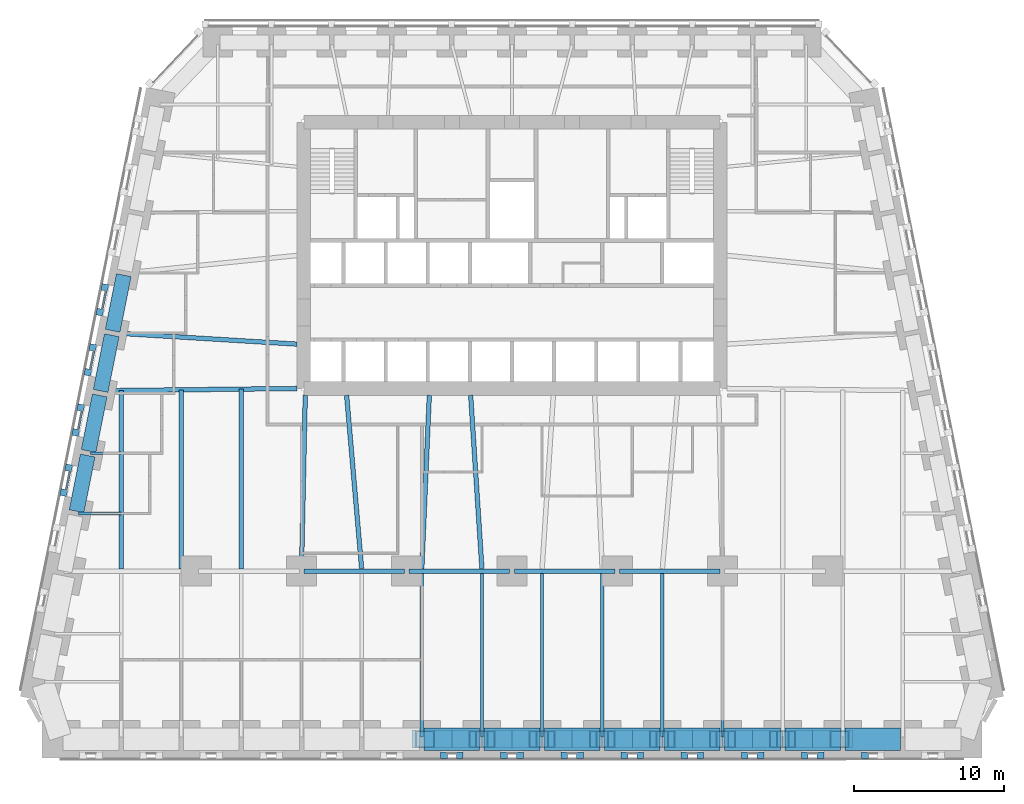
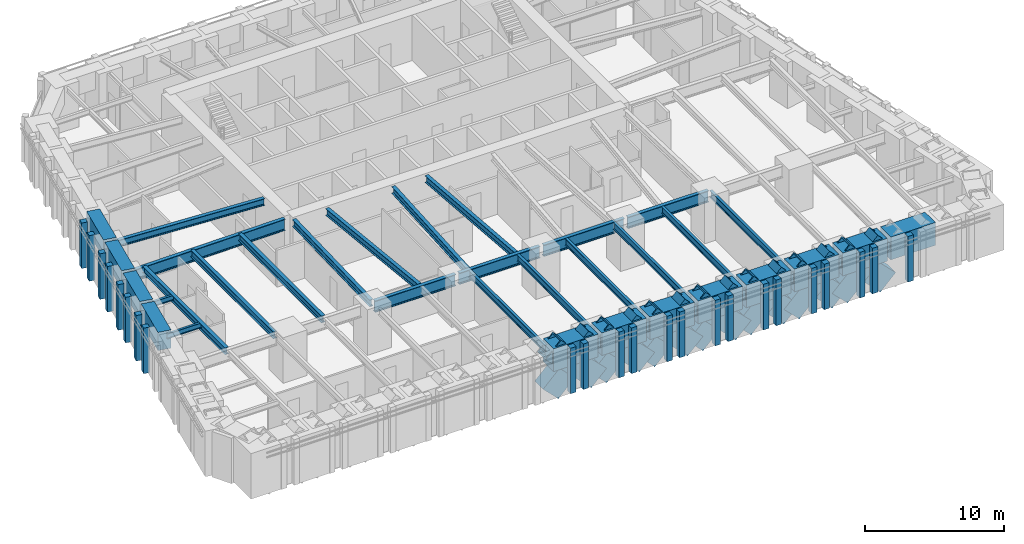
# One storey, part 2 of 17: 41 members, 33 beams, 12 elements without a shape of their own.
"""IFC4 building model written with IfcOpenShell, lengths in metres."""

from ifc_helpers import new_model, si_unit, direction, frame, origin, origin_2d, place, context, subcontext, project, spatial, rectangle, hollow_rectangle, i_section, extrude, material, material_profile, profile_set, type_object, element, aggregate, save


model = new_model("IFC4")

# Units and contexts
model_context = context("Model", 3, precision=1e-05, world=origin(), true_north=direction((0.0, 1.0)))
body_context = subcontext(model_context, "Body", "Model", "MODEL_VIEW")
ifc_project = project(units=[si_unit("LENGTHUNIT", "METRE"), si_unit("AREAUNIT", "SQUARE_METRE"), si_unit("VOLUMEUNIT", "CUBIC_METRE"), si_unit("PLANEANGLEUNIT", "RADIAN"), si_unit("MASSUNIT", "GRAM", prefix="KILO")], contexts=[model_context])

# Site, building, storey
site_placement = place(None, origin())
site = spatial("IfcSite", under=ifc_project, at=site_placement, CompositionType="ELEMENT")
building_placement = place(site_placement, origin())
building = spatial("IfcBuilding", under=site, at=building_placement, Name="Isbrekke Arena Tower", CompositionType="ELEMENT")
storey_placement = place(building_placement, frame((0.0, 0.0, 48.0)))
storey = spatial("IfcBuildingStorey", under=building, at=storey_placement, Name="L09", CompositionType="ELEMENT", Elevation=48.0)

# Beams
ifc_material_1 = material(Name="Steel S355", Category="steel")
ifc_material_profile_1 = material_profile(ifc_material_1, i_section(OverallWidth=0.219970703125, OverallDepth=0.60009765625, WebThickness=0.011962890625, FlangeThickness=0.01904296875, FilletRadius=0.02392578125, at=origin_2d()), Name="IPE 600")
ifc_profile_set_1 = profile_set([ifc_material_profile_1], Name="Steel S355")
beam_type_1 = type_object("IfcBeamType", Name="B1 IPE 600", PredefinedType="BEAM", material=ifc_profile_set_1)
for number, where, z_axis, x_axis, name in (
    (1, (-6.0, -17.02490234375, 3.550048828125), (0.0, 1.0, 0.0), (-1.0, 0.0, 0.0), "B1 beam S-S07 L09"),
    (2, (-2.0, -17.02490234375, 3.550048828125), (0.0, 1.0, 0.0), (-1.0, 0.0, 0.0), "B1 beam S-S08 L09"),
    (3, (2.0, -17.02490234375, 3.550048828125), (0.0, 1.0, 0.0), (-1.0, 0.0, 0.0), "B1 beam S-S09 L09"),
    (4, (6.0, -17.02490234375, 3.550048828125), (0.0, 1.0, 0.0), (-1.0, 0.0, 0.0), "B1 beam S-S10 L09"),
    (5, (10.0, -17.02490234375, 3.550048828125), (0.0, 1.0, 0.0), (-1.0, 0.0, 0.0), "B1 beam S-S11 L09"),
):
    element("IfcBeam", number, at=place(storey_placement, frame(where, z_axis=z_axis, x_axis=x_axis)), inside=storey, type_object=beam_type_1, Name=name, PredefinedType="BEAM", context=body_context, shape_type="SweptSolid", body=[
        extrude(i_section(OverallWidth=0.219970703125, OverallDepth=0.60009765625, WebThickness=0.011962890625, FlangeThickness=0.01904296875, FilletRadius=0.02392578125, at=origin_2d()), origin(), (0.0, 0.0, 1.0), 10.8740234375),
    ])
beam_1_placement = place(storey_placement, frame((14.0, -17.02490234375, 3.550048828125), z_axis=(0.0, 1.0, 0.0), x_axis=(-1.0, 0.0, 0.0)))
element("IfcBeam", 6, at=beam_1_placement, inside=storey, type_object=beam_type_1, Name="B1 beam S-S12 L09", PredefinedType="BEAM", context=body_context, shape_type="SweptSolid", body=[
    extrude(i_section(OverallWidth=0.219970703125, OverallDepth=0.60009765625, WebThickness=0.011962890625, FlangeThickness=0.01904296875, FilletRadius=0.02392578125, at=origin_2d()), origin(), (0.0, 0.0, 1.0), 10.875),
])
ifc_material_2 = material(Name="Steel S355", Category="steel")
ifc_material_profile_2 = material_profile(ifc_material_2, i_section(OverallWidth=0.18994140625, OverallDepth=0.449951171875, WebThickness=0.009521484375, FlangeThickness=0.0146484375, FilletRadius=0.02099609375, at=origin_2d()), Name="IPE 450")
ifc_profile_set_2 = profile_set([ifc_material_profile_2], Name="Steel S355")
beam_type_2 = type_object("IfcBeamType", Name="B2 IPE 450", PredefinedType="BEAM", material=ifc_profile_set_2)
beam_2_placement = place(storey_placement, frame((-28.041015625, 1.838134765625, 3.625), z_axis=(1.0, 0.0, 0.0), x_axis=(0.0, 1.0, 0.0)))
element("IfcBeam", 7, at=beam_2_placement, inside=storey, type_object=beam_type_2, Name="B2 beam E-W07 L09", PredefinedType="BEAM", context=body_context, shape_type="SweptSolid", body=[
    extrude(i_section(OverallWidth=0.18994140625, OverallDepth=0.449951171875, WebThickness=0.009521484375, FlangeThickness=0.0146484375, FilletRadius=0.02099609375, at=origin_2d()), origin(), (0.0, 0.0, 1.0), 2.041015625),
])
beam_3_placement = place(storey_placement, frame((-28.841064453125, -2.161865234375, 3.625), z_axis=(1.0, 0.0, 0.0), x_axis=(0.0, 1.0, 0.0)))
element("IfcBeam", 8, at=beam_3_placement, inside=storey, type_object=beam_type_2, Name="B2 beam E-W08 L09", PredefinedType="BEAM", context=body_context, shape_type="SweptSolid", body=[
    extrude(i_section(OverallWidth=0.18994140625, OverallDepth=0.449951171875, WebThickness=0.009521484375, FlangeThickness=0.0146484375, FilletRadius=0.02099609375, at=origin_2d()), origin(), (0.0, 0.0, 1.0), 2.841064453125),
])
ifc_material_3 = material(Name="Steel S355", Category="steel")
ifc_material_profile_3 = material_profile(ifc_material_3, i_section(OverallWidth=0.300048828125, OverallDepth=0.60009765625, WebThickness=0.015380859375, FlangeThickness=0.030029296875, FilletRadius=0.027099609375, at=origin_2d()), Name="HEB 600")
ifc_profile_set_3 = profile_set([ifc_material_profile_3], Name="Steel S355")
beam_type_3 = type_object("IfcBeamType", Name="B7 HEB 600", PredefinedType="BEAM", material=ifc_profile_set_3)
beam_4_placement = place(storey_placement, frame((-26.0, -5.84912109375, 3.550048828125), z_axis=(0.0, 1.0, 0.0), x_axis=(-1.0, 0.0, 0.0)))
element("IfcBeam", 9, at=beam_4_placement, inside=storey, type_object=beam_type_3, Name="B7 beam C-M01 L09", PredefinedType="BEAM", context=body_context, shape_type="SweptSolid", body=[
    extrude(i_section(OverallWidth=0.300048828125, OverallDepth=0.60009765625, WebThickness=0.015380859375, FlangeThickness=0.030029296875, FilletRadius=0.027099609375, at=origin_2d()), origin(), (0.0, 0.0, 1.0), 11.864990234375),
])
beam_5_placement = place(storey_placement, frame((-22.0, -5.84912109375, 3.550048828125), z_axis=(0.0, 1.0, 0.0), x_axis=(-1.0, 0.0, 0.0)))
element("IfcBeam", 10, at=beam_5_placement, inside=storey, type_object=beam_type_3, Name="B7 beam C-M02 L09", PredefinedType="BEAM", context=body_context, shape_type="SweptSolid", body=[
    extrude(i_section(OverallWidth=0.300048828125, OverallDepth=0.60009765625, WebThickness=0.015380859375, FlangeThickness=0.030029296875, FilletRadius=0.027099609375, at=origin_2d()), origin(), (0.0, 0.0, 1.0), 11.910888671875),
])
beam_6_placement = place(storey_placement, frame((-18.0, -5.84912109375, 3.550048828125), z_axis=(0.0, 1.0, 0.0), x_axis=(-1.0, 0.0, 0.0)))
element("IfcBeam", 11, at=beam_6_placement, inside=storey, type_object=beam_type_3, Name="B7 beam C-M03 L09", PredefinedType="BEAM", context=body_context, shape_type="SweptSolid", body=[
    extrude(i_section(OverallWidth=0.300048828125, OverallDepth=0.60009765625, WebThickness=0.015380859375, FlangeThickness=0.030029296875, FilletRadius=0.027099609375, at=origin_2d()), origin(), (0.0, 0.0, 1.0), 11.956787109375),
])
beam_7_placement = place(storey_placement, frame((-14.0, -5.8466796875, 3.550048828125), z_axis=(0.021646264273, 0.999765692171, 0.0), x_axis=(-0.999765692171, 0.021646264273, 0.0)))
element("IfcBeam", 12, at=beam_7_placement, inside=storey, type_object=beam_type_3, Name="B7 beam C-M04 L09", PredefinedType="BEAM", context=body_context, shape_type="SweptSolid", body=[
    extrude(i_section(OverallWidth=0.300048828125, OverallDepth=0.60009765625, WebThickness=0.015380859375, FlangeThickness=0.030029296875, FilletRadius=0.027099609375, at=origin_2d()), origin(), (0.0, 0.0, 1.0), 11.54931640625),
])
beam_8_placement = place(storey_placement, frame((-10.001220703125, -5.836181640625, 3.550048828125), z_axis=(-0.086255671377, 0.996273034442, 0.0), x_axis=(-0.996273034442, -0.086255671377, 0.0)))
element("IfcBeam", 13, at=beam_8_placement, inside=storey, type_object=beam_type_3, Name="B7 beam C-M05 L09", PredefinedType="BEAM", context=body_context, shape_type="SweptSolid", body=[
    extrude(i_section(OverallWidth=0.300048828125, OverallDepth=0.60009765625, WebThickness=0.015380859375, FlangeThickness=0.030029296875, FilletRadius=0.027099609375, at=origin_2d()), origin(), (0.0, 0.0, 1.0), 11.579345703125),
])
beam_9_placement = place(storey_placement, frame((-5.999755859375, -5.842529296875, 3.550048828125), z_axis=(0.04325656756, 0.99906399663, 0.0), x_axis=(-0.99906399663, 0.04325656756, 0.0)))
element("IfcBeam", 14, at=beam_9_placement, inside=storey, type_object=beam_type_3, Name="B7 beam C-M06 L09", PredefinedType="BEAM", context=body_context, shape_type="SweptSolid", body=[
    extrude(i_section(OverallWidth=0.300048828125, OverallDepth=0.60009765625, WebThickness=0.015380859375, FlangeThickness=0.030029296875, FilletRadius=0.027099609375, at=origin_2d()), origin(), (0.0, 0.0, 1.0), 11.55322265625),
])
beam_10_placement = place(storey_placement, frame((-2.000732421875, -5.83935546875, 3.550048828125), z_axis=(-0.064795318476, 0.997898575359, 0.0), x_axis=(-0.997898575359, -0.064795318476, 0.0)))
element("IfcBeam", 15, at=beam_10_placement, inside=storey, type_object=beam_type_3, Name="B7 beam C-M07 L09", PredefinedType="BEAM", context=body_context, shape_type="SweptSolid", body=[
    extrude(i_section(OverallWidth=0.300048828125, OverallDepth=0.60009765625, WebThickness=0.015380859375, FlangeThickness=0.030029296875, FilletRadius=0.027099609375, at=origin_2d()), origin(), (0.0, 0.0, 1.0), 11.563720703125),
])
beam_11_placement = place(storey_placement, frame((-26.431884765625, 9.837646484375, 3.550048828125), z_axis=(0.998157121592, -0.060682457223, 0.0), x_axis=(0.060682457223, 0.998157121592, 0.0)))
element("IfcBeam", 16, at=beam_11_placement, inside=storey, type_object=beam_type_3, Name="B7 beam E-W05 L09", PredefinedType="BEAM", context=body_context, shape_type="SweptSolid", body=[
    extrude(i_section(OverallWidth=0.300048828125, OverallDepth=0.60009765625, WebThickness=0.015380859375, FlangeThickness=0.030029296875, FilletRadius=0.027099609375, at=origin_2d()), origin(), (0.0, 0.0, 1.0), 12.154296875),
])

# Curtain wall, members
ifc_material_4 = material(Name="Glazed aluminium curtain wall", Category="aluminium")
curtain_wall_type = type_object("IfcCurtainWallType", Name="CWL TOWER CURTAIN WALL LOW ZONE", PredefinedType="USERDEFINED", material=ifc_material_4)
curtain_wall_1_placement = place(storey_placement, origin())
curtain_wall_1 = element("IfcCurtainWall", 17, at=curtain_wall_1_placement, inside=storey, type_object=curtain_wall_type, Name="CWL curtain wall L09-S13", ObjectType="TOWER CURTAIN WALL LOW ZONE", PredefinedType="USERDEFINED")
ifc_material_5 = material(Name="Aluminium mullion, pale brick slip cladding", Category="masonry")
ifc_material_profile_4 = material_profile(ifc_material_5, rectangle(XDim=0.449951171875, YDim=0.449951171875, at=origin_2d()), Name="PIER 450X450")
ifc_profile_set_4 = profile_set([ifc_material_profile_4], Name="Aluminium mullion, pale brick slip cladding")
member_type_1 = type_object("IfcMemberType", Name="CWL-M PIER MULLION 450 x 450", PredefinedType="MULLION", material=ifc_profile_set_4)
member_1_placement = place(storey_placement, frame((-4.52490234375, -18.25, 0.0), z_axis=(0.0, 0.0, 1.0), x_axis=(1.0, 0.0, 0.0)))
member_1 = element("IfcMember", 18, at=member_1_placement, type_object=member_type_1, Name="CWL-M mullion 1", PredefinedType="MULLION", context=body_context, shape_type="SweptSolid", body=[
    extrude(rectangle(XDim=0.449951171875, YDim=0.449951171875, at=origin_2d()), origin(), (0.0, 0.0, 1.0), 4.0),
])
member_2_placement = place(storey_placement, frame((-3.47509765625, -18.25, 0.0), z_axis=(0.0, 0.0, 1.0), x_axis=(1.0, 0.0, 0.0)))
member_2 = element("IfcMember", 19, at=member_2_placement, type_object=member_type_1, Name="CWL-M mullion 2", PredefinedType="MULLION", context=body_context, shape_type="SweptSolid", body=[
    extrude(rectangle(XDim=0.449951171875, YDim=0.449951171875, at=origin_2d()), origin(), (0.0, 0.0, 1.0), 4.0),
])
aggregate(curtain_wall_1, [member_1, member_2])

curtain_wall_2_placement = place(storey_placement, origin())
curtain_wall_2 = element("IfcCurtainWall", 20, at=curtain_wall_2_placement, inside=storey, type_object=curtain_wall_type, Name="CWL curtain wall L09-S15", ObjectType="TOWER CURTAIN WALL LOW ZONE", PredefinedType="USERDEFINED")
member_3_placement = place(storey_placement, frame((-0.52490234375, -18.25, 0.0), z_axis=(0.0, 0.0, 1.0), x_axis=(1.0, 0.0, 0.0)))
member_3 = element("IfcMember", 21, at=member_3_placement, type_object=member_type_1, Name="CWL-M mullion 1", PredefinedType="MULLION", context=body_context, shape_type="SweptSolid", body=[
    extrude(rectangle(XDim=0.449951171875, YDim=0.449951171875, at=origin_2d()), origin(), (0.0, 0.0, 1.0), 4.0),
])
member_4_placement = place(storey_placement, frame((0.52490234375, -18.25, 0.0), z_axis=(0.0, 0.0, 1.0), x_axis=(1.0, 0.0, 0.0)))
member_4 = element("IfcMember", 22, at=member_4_placement, type_object=member_type_1, Name="CWL-M mullion 2", PredefinedType="MULLION", context=body_context, shape_type="SweptSolid", body=[
    extrude(rectangle(XDim=0.449951171875, YDim=0.449951171875, at=origin_2d()), origin(), (0.0, 0.0, 1.0), 4.0),
])
aggregate(curtain_wall_2, [member_3, member_4])

curtain_wall_3_placement = place(storey_placement, origin())
curtain_wall_3 = element("IfcCurtainWall", 23, at=curtain_wall_3_placement, inside=storey, type_object=curtain_wall_type, Name="CWL curtain wall L09-S17", ObjectType="TOWER CURTAIN WALL LOW ZONE", PredefinedType="USERDEFINED")
member_5_placement = place(storey_placement, frame((3.47509765625, -18.25, 0.0), z_axis=(0.0, 0.0, 1.0), x_axis=(1.0, 0.0, 0.0)))
member_5 = element("IfcMember", 24, at=member_5_placement, type_object=member_type_1, Name="CWL-M mullion 1", PredefinedType="MULLION", context=body_context, shape_type="SweptSolid", body=[
    extrude(rectangle(XDim=0.449951171875, YDim=0.449951171875, at=origin_2d()), origin(), (0.0, 0.0, 1.0), 4.0),
])
member_6_placement = place(storey_placement, frame((4.52490234375, -18.25, 0.0), z_axis=(0.0, 0.0, 1.0), x_axis=(1.0, 0.0, 0.0)))
member_6 = element("IfcMember", 25, at=member_6_placement, type_object=member_type_1, Name="CWL-M mullion 2", PredefinedType="MULLION", context=body_context, shape_type="SweptSolid", body=[
    extrude(rectangle(XDim=0.449951171875, YDim=0.449951171875, at=origin_2d()), origin(), (0.0, 0.0, 1.0), 4.0),
])
aggregate(curtain_wall_3, [member_5, member_6])

curtain_wall_4_placement = place(storey_placement, origin())
curtain_wall_4 = element("IfcCurtainWall", 26, at=curtain_wall_4_placement, inside=storey, type_object=curtain_wall_type, Name="CWL curtain wall L09-S19", ObjectType="TOWER CURTAIN WALL LOW ZONE", PredefinedType="USERDEFINED")
member_7_placement = place(storey_placement, frame((7.47509765625, -18.25, 0.0), z_axis=(0.0, 0.0, 1.0), x_axis=(1.0, 0.0, 0.0)))
member_7 = element("IfcMember", 27, at=member_7_placement, type_object=member_type_1, Name="CWL-M mullion 1", PredefinedType="MULLION", context=body_context, shape_type="SweptSolid", body=[
    extrude(rectangle(XDim=0.449951171875, YDim=0.449951171875, at=origin_2d()), origin(), (0.0, 0.0, 1.0), 4.0),
])
member_8_placement = place(storey_placement, frame((8.52490234375, -18.25, 0.0), z_axis=(0.0, 0.0, 1.0), x_axis=(1.0, 0.0, 0.0)))
member_8 = element("IfcMember", 28, at=member_8_placement, type_object=member_type_1, Name="CWL-M mullion 2", PredefinedType="MULLION", context=body_context, shape_type="SweptSolid", body=[
    extrude(rectangle(XDim=0.449951171875, YDim=0.449951171875, at=origin_2d()), origin(), (0.0, 0.0, 1.0), 4.0),
])
aggregate(curtain_wall_4, [member_7, member_8])

curtain_wall_5_placement = place(storey_placement, origin())
curtain_wall_5 = element("IfcCurtainWall", 29, at=curtain_wall_5_placement, inside=storey, type_object=curtain_wall_type, Name="CWL curtain wall L09-S21", ObjectType="TOWER CURTAIN WALL LOW ZONE", PredefinedType="USERDEFINED")
member_9_placement = place(storey_placement, frame((11.47509765625, -18.25, 0.0), z_axis=(0.0, 0.0, 1.0), x_axis=(1.0, 0.0, 0.0)))
member_9 = element("IfcMember", 30, at=member_9_placement, type_object=member_type_1, Name="CWL-M mullion 1", PredefinedType="MULLION", context=body_context, shape_type="SweptSolid", body=[
    extrude(rectangle(XDim=0.449951171875, YDim=0.449951171875, at=origin_2d()), origin(), (0.0, 0.0, 1.0), 4.0),
])
member_10_placement = place(storey_placement, frame((12.52490234375, -18.25, 0.0), z_axis=(0.0, 0.0, 1.0), x_axis=(1.0, 0.0, 0.0)))
member_10 = element("IfcMember", 31, at=member_10_placement, type_object=member_type_1, Name="CWL-M mullion 2", PredefinedType="MULLION", context=body_context, shape_type="SweptSolid", body=[
    extrude(rectangle(XDim=0.449951171875, YDim=0.449951171875, at=origin_2d()), origin(), (0.0, 0.0, 1.0), 4.0),
])
aggregate(curtain_wall_5, [member_9, member_10])

curtain_wall_6_placement = place(storey_placement, origin())
curtain_wall_6 = element("IfcCurtainWall", 32, at=curtain_wall_6_placement, inside=storey, type_object=curtain_wall_type, Name="CWL curtain wall L09-S23", ObjectType="TOWER CURTAIN WALL LOW ZONE", PredefinedType="USERDEFINED")
member_11_placement = place(storey_placement, frame((15.47509765625, -18.25, 0.0), z_axis=(0.0, 0.0, 1.0), x_axis=(1.0, 0.0, 0.0)))
member_11 = element("IfcMember", 33, at=member_11_placement, type_object=member_type_1, Name="CWL-M mullion 1", PredefinedType="MULLION", context=body_context, shape_type="SweptSolid", body=[
    extrude(rectangle(XDim=0.449951171875, YDim=0.449951171875, at=origin_2d()), origin(), (0.0, 0.0, 1.0), 4.0),
])
member_12_placement = place(storey_placement, frame((16.52490234375, -18.25, 0.0), z_axis=(0.0, 0.0, 1.0), x_axis=(1.0, 0.0, 0.0)))
member_12 = element("IfcMember", 34, at=member_12_placement, type_object=member_type_1, Name="CWL-M mullion 2", PredefinedType="MULLION", context=body_context, shape_type="SweptSolid", body=[
    extrude(rectangle(XDim=0.449951171875, YDim=0.449951171875, at=origin_2d()), origin(), (0.0, 0.0, 1.0), 4.0),
])
aggregate(curtain_wall_6, [member_11, member_12])

curtain_wall_7_placement = place(storey_placement, origin())
curtain_wall_7 = element("IfcCurtainWall", 35, at=curtain_wall_7_placement, inside=storey, type_object=curtain_wall_type, Name="CWL curtain wall L09-S25", ObjectType="TOWER CURTAIN WALL LOW ZONE", PredefinedType="USERDEFINED")
member_13_placement = place(storey_placement, frame((19.47509765625, -18.25, 0.0), z_axis=(0.0, 0.0, 1.0), x_axis=(1.0, 0.0, 0.0)))
member_13 = element("IfcMember", 36, at=member_13_placement, type_object=member_type_1, Name="CWL-M mullion 1", PredefinedType="MULLION", context=body_context, shape_type="SweptSolid", body=[
    extrude(rectangle(XDim=0.449951171875, YDim=0.449951171875, at=origin_2d()), origin(), (0.0, 0.0, 1.0), 4.0),
])
member_14_placement = place(storey_placement, frame((20.52490234375, -18.25, 0.0), z_axis=(0.0, 0.0, 1.0), x_axis=(1.0, 0.0, 0.0)))
member_14 = element("IfcMember", 37, at=member_14_placement, type_object=member_type_1, Name="CWL-M mullion 2", PredefinedType="MULLION", context=body_context, shape_type="SweptSolid", body=[
    extrude(rectangle(XDim=0.449951171875, YDim=0.449951171875, at=origin_2d()), origin(), (0.0, 0.0, 1.0), 4.0),
])
aggregate(curtain_wall_7, [member_13, member_14])

# Curtain wall, member
curtain_wall_8_placement = place(storey_placement, origin())
curtain_wall_8 = element("IfcCurtainWall", 38, at=curtain_wall_8_placement, inside=storey, type_object=curtain_wall_type, Name="CWL curtain wall L09-S27", ObjectType="TOWER CURTAIN WALL LOW ZONE", PredefinedType="USERDEFINED")
member_15_placement = place(storey_placement, frame((23.47509765625, -18.25, 0.0), z_axis=(0.0, 0.0, 1.0), x_axis=(1.0, 0.0, 0.0)))
member_15 = element("IfcMember", 39, at=member_15_placement, type_object=member_type_1, Name="CWL-M mullion 1", PredefinedType="MULLION", context=body_context, shape_type="SweptSolid", body=[
    extrude(rectangle(XDim=0.449951171875, YDim=0.449951171875, at=origin_2d()), origin(), (0.0, 0.0, 1.0), 4.0),
])
aggregate(curtain_wall_8, [member_15])

# Curtain wall, members
curtain_wall_9_placement = place(storey_placement, origin())
curtain_wall_9 = element("IfcCurtainWall", 40, at=curtain_wall_9_placement, inside=storey, type_object=curtain_wall_type, Name="CWL curtain wall L09-W7", ObjectType="TOWER CURTAIN WALL LOW ZONE", PredefinedType="USERDEFINED")
member_16_placement = place(storey_placement, frame((-27.08056640625, 12.872314453125, 0.0), z_axis=(0.0, 0.0, 1.0), x_axis=(-0.196116135138, -0.980580675691, 0.0)))
member_16 = element("IfcMember", 41, at=member_16_placement, type_object=member_type_1, Name="CWL-M mullion 1", PredefinedType="MULLION", context=body_context, shape_type="SweptSolid", body=[
    extrude(rectangle(XDim=0.449951171875, YDim=0.449951171875, at=origin_2d()), origin(), (0.0, 0.0, 1.0), 4.0),
])
member_17_placement = place(storey_placement, frame((-27.409912109375, 11.225830078125, 0.0), z_axis=(0.0, 0.0, 1.0), x_axis=(-0.196116135138, -0.980580675691, 0.0)))
member_17 = element("IfcMember", 42, at=member_17_placement, type_object=member_type_1, Name="CWL-M mullion 2", PredefinedType="MULLION", context=body_context, shape_type="SweptSolid", body=[
    extrude(rectangle(XDim=0.449951171875, YDim=0.449951171875, at=origin_2d()), origin(), (0.0, 0.0, 1.0), 4.0),
])

curtain_wall_10_placement = place(storey_placement, origin())
curtain_wall_10 = element("IfcCurtainWall", 43, at=curtain_wall_10_placement, inside=storey, type_object=curtain_wall_type, Name="CWL curtain wall L09-W9", ObjectType="TOWER CURTAIN WALL LOW ZONE", PredefinedType="USERDEFINED")
member_18_placement = place(storey_placement, frame((-27.88037109375, 8.872314453125, 0.0), z_axis=(0.0, 0.0, 1.0), x_axis=(-0.196116135138, -0.980580675691, 0.0)))
member_18 = element("IfcMember", 44, at=member_18_placement, type_object=member_type_1, Name="CWL-M mullion 1", PredefinedType="MULLION", context=body_context, shape_type="SweptSolid", body=[
    extrude(rectangle(XDim=0.449951171875, YDim=0.449951171875, at=origin_2d()), origin(), (0.0, 0.0, 1.0), 4.0),
])
member_19_placement = place(storey_placement, frame((-28.209716796875, 7.225830078125, 0.0), z_axis=(0.0, 0.0, 1.0), x_axis=(-0.196116135138, -0.980580675691, 0.0)))
member_19 = element("IfcMember", 45, at=member_19_placement, type_object=member_type_1, Name="CWL-M mullion 2", PredefinedType="MULLION", context=body_context, shape_type="SweptSolid", body=[
    extrude(rectangle(XDim=0.449951171875, YDim=0.449951171875, at=origin_2d()), origin(), (0.0, 0.0, 1.0), 4.0),
])

curtain_wall_11_placement = place(storey_placement, origin())
curtain_wall_11 = element("IfcCurtainWall", 46, at=curtain_wall_11_placement, inside=storey, type_object=curtain_wall_type, Name="CWL curtain wall L09-W11", ObjectType="TOWER CURTAIN WALL LOW ZONE", PredefinedType="USERDEFINED")
member_20_placement = place(storey_placement, frame((-28.680419921875, 4.872314453125, 0.0), z_axis=(0.0, 0.0, 1.0), x_axis=(-0.196116135138, -0.980580675691, 0.0)))
member_20 = element("IfcMember", 47, at=member_20_placement, type_object=member_type_1, Name="CWL-M mullion 1", PredefinedType="MULLION", context=body_context, shape_type="SweptSolid", body=[
    extrude(rectangle(XDim=0.449951171875, YDim=0.449951171875, at=origin_2d()), origin(), (0.0, 0.0, 1.0), 4.0),
])
member_21_placement = place(storey_placement, frame((-29.009765625, 3.225830078125, 0.0), z_axis=(0.0, 0.0, 1.0), x_axis=(-0.196116135138, -0.980580675691, 0.0)))
member_21 = element("IfcMember", 48, at=member_21_placement, type_object=member_type_1, Name="CWL-M mullion 2", PredefinedType="MULLION", context=body_context, shape_type="SweptSolid", body=[
    extrude(rectangle(XDim=0.449951171875, YDim=0.449951171875, at=origin_2d()), origin(), (0.0, 0.0, 1.0), 4.0),
])

curtain_wall_12_placement = place(storey_placement, origin())
curtain_wall_12 = element("IfcCurtainWall", 49, at=curtain_wall_12_placement, inside=storey, type_object=curtain_wall_type, Name="CWL curtain wall L09-W13", ObjectType="TOWER CURTAIN WALL LOW ZONE", PredefinedType="USERDEFINED")
member_22_placement = place(storey_placement, frame((-29.48046875, 0.872314453125, 0.0), z_axis=(0.0, 0.0, 1.0), x_axis=(-0.196116135138, -0.980580675691, 0.0)))
member_22 = element("IfcMember", 50, at=member_22_placement, type_object=member_type_1, Name="CWL-M mullion 1", PredefinedType="MULLION", context=body_context, shape_type="SweptSolid", body=[
    extrude(rectangle(XDim=0.449951171875, YDim=0.449951171875, at=origin_2d()), origin(), (0.0, 0.0, 1.0), 4.0),
])
member_23_placement = place(storey_placement, frame((-29.809814453125, -0.774169921875, 0.0), z_axis=(0.0, 0.0, 1.0), x_axis=(-0.196116135138, -0.980580675691, 0.0)))
member_23 = element("IfcMember", 51, at=member_23_placement, type_object=member_type_1, Name="CWL-M mullion 2", PredefinedType="MULLION", context=body_context, shape_type="SweptSolid", body=[
    extrude(rectangle(XDim=0.449951171875, YDim=0.449951171875, at=origin_2d()), origin(), (0.0, 0.0, 1.0), 4.0),
])

# Member
ifc_material_6 = material(Name="Aluminium transom", Category="aluminium")
ifc_material_profile_5 = material_profile(ifc_material_6, rectangle(XDim=0.1201171875, YDim=0.199951171875, at=origin_2d()), Name="TRANSOM 120X200")
ifc_profile_set_5 = profile_set([ifc_material_profile_5], Name="Aluminium transom")
member_type_2 = type_object("IfcMemberType", Name="CWL-T TRANSOM 120 x 200", PredefinedType="USERDEFINED", material=ifc_profile_set_5)
member_24_placement = place(storey_placement, frame((-27.001953125, 12.627197265625, 3.0), z_axis=(-0.19623071885, -0.980557751986, 0.0), x_axis=(0.980557751986, -0.19623071885, 0.0)))
member_24 = element("IfcMember", 52, at=member_24_placement, type_object=member_type_2, Name="CWL-T transom 1", ObjectType="TRANSOM", PredefinedType="USERDEFINED", context=body_context, shape_type="SweptSolid", body=[
    extrude(rectangle(XDim=0.1201171875, YDim=0.199951171875, at=origin_2d()), origin(), (0.0, 0.0, 1.0), 1.229248046875),
])

aggregate(curtain_wall_9, [member_16, member_17, member_24])

member_25_placement = place(storey_placement, frame((-27.802001953125, 8.627197265625, 3.0), z_axis=(-0.19623071885, -0.980557751986, 0.0), x_axis=(0.980557751986, -0.19623071885, 0.0)))
member_25 = element("IfcMember", 53, at=member_25_placement, type_object=member_type_2, Name="CWL-T transom 1", ObjectType="TRANSOM", PredefinedType="USERDEFINED", context=body_context, shape_type="SweptSolid", body=[
    extrude(rectangle(XDim=0.1201171875, YDim=0.199951171875, at=origin_2d()), origin(), (0.0, 0.0, 1.0), 1.229248046875),
])

aggregate(curtain_wall_10, [member_18, member_19, member_25])

member_26_placement = place(storey_placement, frame((-28.60205078125, 4.627197265625, 3.0), z_axis=(-0.196039741533, -0.980595951317, 0.0), x_axis=(0.980595951317, -0.196039741533, 0.0)))
member_26 = element("IfcMember", 54, at=member_26_placement, type_object=member_type_2, Name="CWL-T transom 1", ObjectType="TRANSOM", PredefinedType="USERDEFINED", context=body_context, shape_type="SweptSolid", body=[
    extrude(rectangle(XDim=0.1201171875, YDim=0.199951171875, at=origin_2d()), origin(), (0.0, 0.0, 1.0), 1.229248046875),
])

aggregate(curtain_wall_11, [member_20, member_21, member_26])

member_27_placement = place(storey_placement, frame((-29.402099609375, 0.627197265625, 3.0), z_axis=(-0.196039741533, -0.980595951317, 0.0), x_axis=(0.980595951317, -0.196039741533, 0.0)))
member_27 = element("IfcMember", 55, at=member_27_placement, type_object=member_type_2, Name="CWL-T transom 1", ObjectType="TRANSOM", PredefinedType="USERDEFINED", context=body_context, shape_type="SweptSolid", body=[
    extrude(rectangle(XDim=0.1201171875, YDim=0.199951171875, at=origin_2d()), origin(), (0.0, 0.0, 1.0), 1.229248046875),
])

aggregate(curtain_wall_12, [member_22, member_23, member_27])

# Beams
ifc_material_7 = material(Name="Steel S355", Category="steel")
ifc_material_profile_6 = material_profile(ifc_material_7, i_section(OverallWidth=0.302001953125, OverallDepth=1.008056640625, WebThickness=0.02099609375, FlangeThickness=0.0400390625, FilletRadius=0.030029296875, at=origin_2d()), Name="HEM 1000")
ifc_profile_set_6 = profile_set([ifc_material_profile_6], Name="Steel S355")
beam_type_4 = type_object("IfcBeamType", Name="G1 HEM 1000", PredefinedType="BEAM", material=ifc_profile_set_6)
for number, where, z_axis, x_axis, name in (
    (56, (-13.85009765625, -6.0, 3.345947265625), (1.0, 0.0, 0.0), (0.0, 1.0, 0.0), "G1 beam G1-03 L09"),
    (57, (-6.85009765625, -6.0, 3.345947265625), (1.0, 0.0, 0.0), (0.0, 1.0, 0.0), "G1 beam G1-04 L09"),
    (58, (0.14990234375, -6.0, 3.345947265625), (1.0, 0.0, 0.0), (0.0, 1.0, 0.0), "G1 beam G1-05 L09"),
    (59, (7.14990234375, -6.0, 3.345947265625), (1.0, 0.0, 0.0), (0.0, 1.0, 0.0), "G1 beam G1-06 L09"),
):
    element("IfcBeam", number, at=place(storey_placement, frame(where, z_axis=z_axis, x_axis=x_axis)), inside=storey, type_object=beam_type_4, Name=name, PredefinedType="BEAM", context=body_context, shape_type="SweptSolid", body=[
        extrude(i_section(OverallWidth=0.302001953125, OverallDepth=1.008056640625, WebThickness=0.02099609375, FlangeThickness=0.0400390625, FilletRadius=0.030029296875, at=origin_2d()), origin(), (0.0, 0.0, 1.0), 6.7001953125),
    ])
ifc_material_8 = material(Name="Steel S355", Category="steel")
ifc_material_profile_7 = material_profile(ifc_material_8, i_section(OverallWidth=0.302001953125, OverallDepth=1.008056640625, WebThickness=0.02099609375, FlangeThickness=0.0400390625, FilletRadius=0.030029296875, at=origin_2d()), Name="HEM 1000")
ifc_profile_set_7 = profile_set([ifc_material_profile_7], Name="Steel S355")
beam_type_5 = type_object("IfcBeamType", Name="G2 HEM 1000", PredefinedType="BEAM", material=ifc_profile_set_7)
beam_12_placement = place(storey_placement, frame((-14.300048828125, 6.14990234375, 3.345947265625), z_axis=(-0.999934429634, -0.011451481699, 0.0), x_axis=(0.011451481699, -0.999934429634, 0.0)))
element("IfcBeam", 60, at=beam_12_placement, inside=storey, type_object=beam_type_5, Name="G2 beam G2-W L09", PredefinedType="BEAM", context=body_context, shape_type="SweptSolid", body=[
    extrude(i_section(OverallWidth=0.302001953125, OverallDepth=1.008056640625, WebThickness=0.02099609375, FlangeThickness=0.0400390625, FilletRadius=0.030029296875, at=origin_2d()), origin(), (0.0, 0.0, 1.0), 13.09033203125),
])
ifc_material_9 = material(Name="Concrete B90 (C90/105)", Category="concrete")
ifc_material_profile_8 = material_profile(ifc_material_9, rectangle(XDim=1.0, YDim=1.60009765625, at=origin_2d()), Name="RC 1000x1600")
ifc_profile_set_8 = profile_set([ifc_material_profile_8], Name="Concrete B90 (C90/105)")
beam_type_6 = type_object("IfcBeamType", Name="SB1 RC 1000 x 1600", PredefinedType="SPANDREL", material=ifc_profile_set_8)
beam_13_placement = place(storey_placement, frame((-25.820556640625, 13.691162109375, 3.199951171875), z_axis=(-0.1960664412, -0.980590613169, 0.0), x_axis=(0.980590613169, -0.1960664412, 0.0)))
element("IfcBeam", 61, at=beam_13_placement, inside=storey, type_object=beam_type_6, Name="SB1 spandrel W04-W05 L09", PredefinedType="SPANDREL", context=body_context, shape_type="SweptSolid", body=[
    extrude(rectangle(XDim=1.0, YDim=1.60009765625, at=origin_2d()), origin(), (0.0, 0.0, 1.0), 3.779052734375),
])
for number, where, z_axis, x_axis, name in (
    (62, (-26.620361328125, 9.691162109375, 3.199951171875), (-0.196128558387, -0.980578190959, 0.0), (0.980578190959, -0.196128558387, 0.0), "SB1 spandrel W05-W06 L09"),
    (63, (-27.42041015625, 5.691162109375, 3.199951171875), (-0.196128558387, -0.980578190959, 0.0), (0.980578190959, -0.196128558387, 0.0), "SB1 spandrel W06-W07 L09"),
    (64, (-28.220458984375, 1.691162109375, 3.199951171875), (-0.196128558387, -0.980578190959, 0.0), (0.980578190959, -0.196128558387, 0.0), "SB1 spandrel W07-W08 L09"),
):
    element("IfcBeam", number, at=place(storey_placement, frame(where, z_axis=z_axis, x_axis=x_axis)), inside=storey, type_object=beam_type_6, Name=name, PredefinedType="SPANDREL", context=body_context, shape_type="SweptSolid", body=[
        extrude(rectangle(XDim=1.0, YDim=1.60009765625, at=origin_2d()), origin(), (0.0, 0.0, 1.0), 3.779296875),
    ])
ifc_material_10 = material(Name="Concrete B90 (C90/105)", Category="concrete")
ifc_material_profile_9 = material_profile(ifc_material_10, rectangle(XDim=1.5, YDim=2.0, at=origin_2d()), Name="RC 1500x2000")
ifc_profile_set_9 = profile_set([ifc_material_profile_9], Name="Concrete B90 (C90/105)")
beam_type_7 = type_object("IfcBeamType", Name="SB6 RC 1500 x 2000", PredefinedType="SPANDREL", material=ifc_profile_set_9)
for number, where, z_axis, x_axis, name in (
    (65, (-5.85009765625, -17.175048828125, 3.0), (1.0, 0.0, 0.0), (0.0, 1.0, 0.0), "SB6 spandrel S07-S08 L09"),
    (66, (-1.85009765625, -17.175048828125, 3.0), (1.0, 0.0, 0.0), (0.0, 1.0, 0.0), "SB6 spandrel S08-S09 L09"),
    (67, (2.14990234375, -17.175048828125, 3.0), (1.0, 0.0, 0.0), (0.0, 1.0, 0.0), "SB6 spandrel S09-S10 L09"),
    (68, (6.14990234375, -17.175048828125, 3.0), (1.0, 0.0, 0.0), (0.0, 1.0, 0.0), "SB6 spandrel S10-S11 L09"),
    (69, (10.14990234375, -17.175048828125, 3.0), (1.0, 0.0, 0.0), (0.0, 1.0, 0.0), "SB6 spandrel S11-S12 L09"),
    (70, (14.14990234375, -17.175048828125, 3.0), (1.0, 0.0, 0.0), (0.0, 1.0, 0.0), "SB6 spandrel S12-S13 L09"),
    (71, (18.14990234375, -17.175048828125, 3.0), (1.0, 0.0, 0.0), (0.0, 1.0, 0.0), "SB6 spandrel S13-S14 L09"),
    (72, (22.14990234375, -17.175048828125, 3.0), (1.0, 0.0, 0.0), (0.0, 1.0, 0.0), "SB6 spandrel S14-S15 L09"),
):
    element("IfcBeam", number, at=place(storey_placement, frame(where, z_axis=z_axis, x_axis=x_axis)), inside=storey, type_object=beam_type_7, Name=name, PredefinedType="SPANDREL", context=body_context, shape_type="SweptSolid", body=[
        extrude(rectangle(XDim=1.5, YDim=2.0, at=origin_2d()), origin(), (0.0, 0.0, 1.0), 3.7001953125),
    ])

# Members
ifc_material_11 = material(Name="Steel S460", Category="steel")
ifc_material_profile_10 = material_profile(ifc_material_11, hollow_rectangle(XDim=1.199951171875, YDim=1.800048828125, WallThickness=0.090087890625, at=origin_2d()), Name="BOX 1200x1800x90")
ifc_profile_set_10 = profile_set([ifc_material_profile_10], Name="Steel S460")
member_type_3 = type_object("IfcMemberType", Name="TB1 BOX 1200x1800x90", PredefinedType="BRACE", material=ifc_profile_set_10)
for number, where, z_axis, x_axis, name in (
    (73, (-6.0, -17.175048828125, 0.0), (0.707106781187, 0.0, 0.707106781187), (0.0, 1.0, 0.0), "TB1 transfer brace S07-S08 L09 A"),
    (74, (-5.779296875, -17.175048828125, 3.779296875), (0.707106781187, 0.0, -0.707106781187), (0.0, 1.0, 0.0), "TB1 transfer brace S07-S08 L09 B"),
    (75, (-2.0, -17.175048828125, 0.0), (0.707106781187, 0.0, 0.707106781187), (0.0, 1.0, 0.0), "TB1 transfer brace S08-S09 L09 A"),
    (76, (-1.779296875, -17.175048828125, 3.779296875), (0.707106781187, 0.0, -0.707106781187), (0.0, 1.0, 0.0), "TB1 transfer brace S08-S09 L09 B"),
    (77, (2.0, -17.175048828125, 0.0), (0.707106781187, 0.0, 0.707106781187), (0.0, 1.0, 0.0), "TB1 transfer brace S09-S10 L09 A"),
    (78, (2.220703125, -17.175048828125, 3.779296875), (0.707106781187, 0.0, -0.707106781187), (0.0, 1.0, 0.0), "TB1 transfer brace S09-S10 L09 B"),
    (79, (6.0, -17.175048828125, 0.0), (0.707106781187, 0.0, 0.707106781187), (0.0, 1.0, 0.0), "TB1 transfer brace S10-S11 L09 A"),
    (80, (6.220703125, -17.175048828125, 3.779296875), (0.707106781187, 0.0, -0.707106781187), (0.0, 1.0, 0.0), "TB1 transfer brace S10-S11 L09 B"),
    (81, (10.0, -17.175048828125, 0.0), (0.707106781187, 0.0, 0.707106781187), (0.0, 1.0, 0.0), "TB1 transfer brace S11-S12 L09 A"),
    (82, (10.220703125, -17.175048828125, 3.779296875), (0.707106781187, 0.0, -0.707106781187), (0.0, 1.0, 0.0), "TB1 transfer brace S11-S12 L09 B"),
    (83, (14.0, -17.175048828125, 0.0), (0.707106781187, 0.0, 0.707106781187), (0.0, 1.0, 0.0), "TB1 transfer brace S12-S13 L09 A"),
    (84, (14.220703125, -17.175048828125, 3.779296875), (0.707106781187, 0.0, -0.707106781187), (0.0, 1.0, 0.0), "TB1 transfer brace S12-S13 L09 B"),
    (85, (18.0, -17.175048828125, 0.0), (0.707106781187, 0.0, 0.707106781187), (0.0, 1.0, 0.0), "TB1 transfer brace S13-S14 L09 A"),
    (86, (18.220703125, -17.175048828125, 3.779296875), (0.707106781187, 0.0, -0.707106781187), (0.0, 1.0, 0.0), "TB1 transfer brace S13-S14 L09 B"),
):
    element("IfcMember", number, at=place(storey_placement, frame(where, z_axis=z_axis, x_axis=x_axis)), inside=storey, type_object=member_type_3, Name=name, PredefinedType="BRACE", context=body_context, shape_type="SweptSolid", body=[
        extrude(hollow_rectangle(XDim=1.199951171875, YDim=1.800048828125, WallThickness=0.090087890625, at=origin_2d()), origin(), (0.0, 0.0, 1.0), 5.3447265625),
    ])

save(model, "model.ifc")
